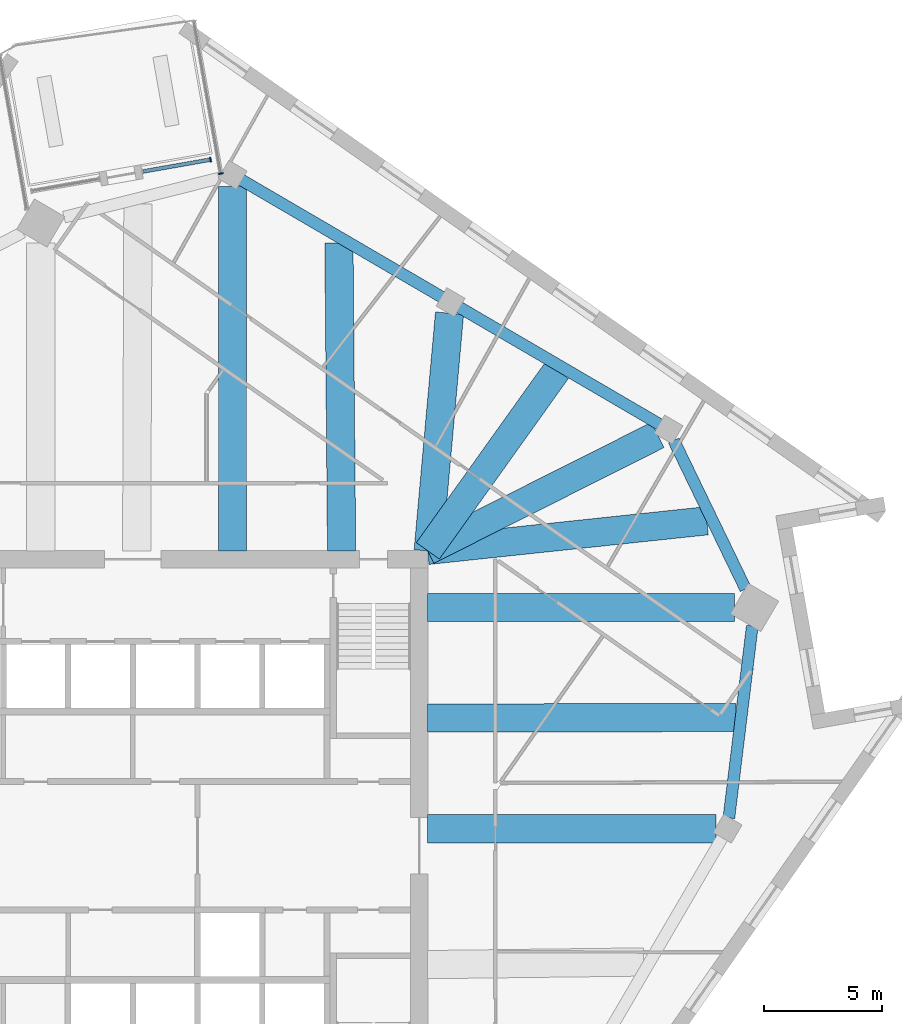
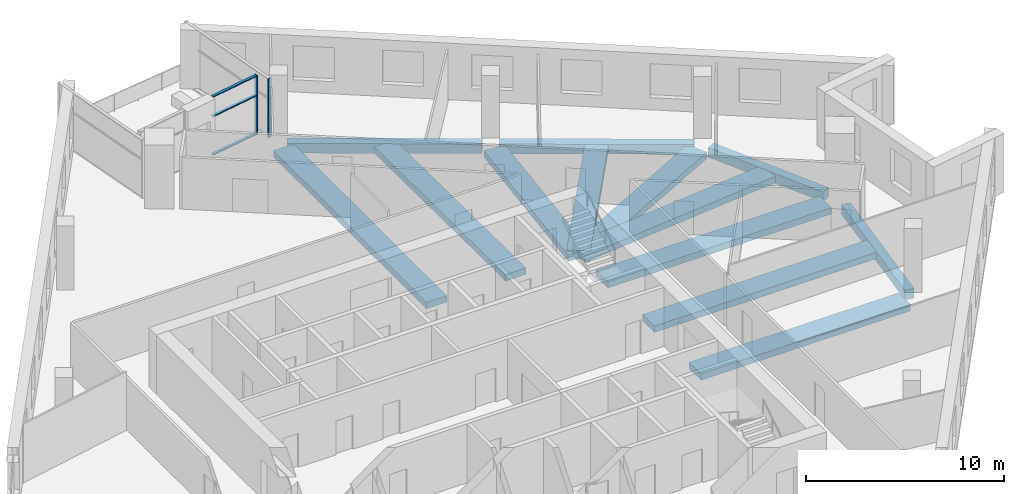
# One storey, part 3 of 13: 13 beams, 5 members, 2 elements without a shape of their own.
"""IFC4 building model written with IfcOpenShell, lengths in metres."""

from ifc_helpers import new_model, si_unit, direction, frame, origin, origin_2d, place, context, subcontext, project, spatial, rectangle, extrude, material, material_profile, profile_set, type_object, element, aggregate, save


model = new_model("IFC4")

# Units and contexts
model_context = context("Model", 3, precision=1e-05, world=origin(), true_north=direction((0.0, 1.0)))
body_context = subcontext(model_context, "Body", "Model", "MODEL_VIEW")
ifc_project = project(units=[si_unit("LENGTHUNIT", "METRE"), si_unit("AREAUNIT", "SQUARE_METRE"), si_unit("VOLUMEUNIT", "CUBIC_METRE"), si_unit("PLANEANGLEUNIT", "RADIAN"), si_unit("MASSUNIT", "GRAM", prefix="KILO")], contexts=[model_context])

# Site, building, storey
site_placement = place(None, origin())
site = spatial("IfcSite", under=ifc_project, at=site_placement, CompositionType="ELEMENT")
building_placement = place(site_placement, origin())
building = spatial("IfcBuilding", under=site, at=building_placement, Name="Dilmun Exchange Tower", CompositionType="ELEMENT")
storey_placement = place(building_placement, frame((0.0, 0.0, 250.89990234375)))
storey = spatial("IfcBuildingStorey", under=building, at=storey_placement, Name="L59", CompositionType="ELEMENT", Elevation=250.89990234375)

# Curtain wall, member
ifc_material_1 = material(Name="Anodised aluminium and clear glass", Category="aluminium")
curtain_wall_type = type_object("IfcCurtainWallType", Name="Garden corner glazing", PredefinedType="NOTDEFINED", material=ifc_material_1)
curtain_wall_1_placement = place(storey_placement, origin())
curtain_wall_1 = element("IfcCurtainWall", 1, at=curtain_wall_1_placement, inside=storey, type_object=curtain_wall_type, Name="Garden corner glazing run GC1.1", PredefinedType="NOTDEFINED")
ifc_material_2 = material(Name="Anodised aluminium", Category="aluminium")
ifc_material_profile_1 = material_profile(ifc_material_2, rectangle(XDim=0.199951171875, YDim=0.06005859375, at=origin_2d()), Name="AL 60x200")
ifc_profile_set_1 = profile_set([ifc_material_profile_1], Name="Anodised aluminium")
member_type_1 = type_object("IfcMemberType", Name="Garden corner glazing mullion 60 x 200", PredefinedType="MULLION", material=ifc_profile_set_1)
member_1_placement = place(storey_placement, frame((3.74169921875, 28.55810546875, 0.0), z_axis=(0.0, 0.0, 1.0), x_axis=(0.984807359836, 0.173650407466, 0.0)))
member_1 = element("IfcMember", 2, at=member_1_placement, type_object=member_type_1, Name="GC1.1 mullion 2", PredefinedType="MULLION", context=body_context, shape_type="SweptSolid", body=[
    extrude(rectangle(XDim=0.199951171875, YDim=0.06005859375, at=origin_2d()), origin(), (0.0, 0.0, 1.0), 3.64013671875),
])
aggregate(curtain_wall_1, [member_1])

# Curtain wall, members
curtain_wall_2_placement = place(storey_placement, origin())
curtain_wall_2 = element("IfcCurtainWall", 3, at=curtain_wall_2_placement, inside=storey, type_object=curtain_wall_type, Name="Garden corner glazing run GC2.1", PredefinedType="NOTDEFINED")
member_2_placement = place(storey_placement, frame((3.3017578125, 29.15234375, 0.0), z_axis=(0.0, 0.0, 1.0), x_axis=(0.173630743351, -0.984810826993, 0.0)))
member_2 = element("IfcMember", 4, at=member_2_placement, type_object=member_type_1, Name="GC2.1 mullion 1", PredefinedType="MULLION", context=body_context, shape_type="SweptSolid", body=[
    extrude(rectangle(XDim=0.199951171875, YDim=0.06005859375, at=origin_2d()), origin(), (0.0, 0.0, 1.0), 3.64013671875),
])
ifc_material_profile_2 = material_profile(ifc_material_2, rectangle(XDim=0.159912109375, YDim=0.06005859375, at=origin_2d()), Name="AL 60x160")
ifc_profile_set_2 = profile_set([ifc_material_profile_2], Name="Anodised aluminium")
member_type_2 = type_object("IfcMemberType", Name="Garden corner glazing transom 60 x 160", PredefinedType="USERDEFINED", material=ifc_profile_set_2)
member_3_placement = place(storey_placement, frame((3.272216796875, 29.14697265625, 0.030029296875), z_axis=(-0.984816950826, -0.173596006194, 0.0), x_axis=(0.173596006194, -0.984816950826, 0.0)))
member_3 = element("IfcMember", 5, at=member_3_placement, type_object=member_type_2, Name="GC2.1 transom 1.1", ObjectType="TRANSOM", PredefinedType="USERDEFINED", context=body_context, shape_type="SweptSolid", body=[
    extrude(rectangle(XDim=0.159912109375, YDim=0.06005859375, at=origin_2d()), origin(), (0.0, 0.0, 1.0), 2.868896484375),
])
member_4_placement = place(storey_placement, frame((3.272216796875, 29.14697265625, 2.400146484375), z_axis=(-0.984816950826, -0.173596006194, 0.0), x_axis=(0.173596006194, -0.984816950826, 0.0)))
member_4 = element("IfcMember", 6, at=member_4_placement, type_object=member_type_2, Name="GC2.1 transom 1.2", ObjectType="TRANSOM", PredefinedType="USERDEFINED", context=body_context, shape_type="SweptSolid", body=[
    extrude(rectangle(XDim=0.159912109375, YDim=0.06005859375, at=origin_2d()), origin(), (0.0, 0.0, 1.0), 2.868896484375),
])
member_5_placement = place(storey_placement, frame((3.272216796875, 29.14697265625, 3.610107421875), z_axis=(-0.984816950826, -0.173596006194, 0.0), x_axis=(0.173596006194, -0.984816950826, 0.0)))
member_5 = element("IfcMember", 7, at=member_5_placement, type_object=member_type_2, Name="GC2.1 transom 1.3", ObjectType="TRANSOM", PredefinedType="USERDEFINED", context=body_context, shape_type="SweptSolid", body=[
    extrude(rectangle(XDim=0.159912109375, YDim=0.06005859375, at=origin_2d()), origin(), (0.0, 0.0, 1.0), 2.868896484375),
])
aggregate(curtain_wall_2, [member_2, member_3, member_4, member_5])

# Beams
ifc_material_3 = material(Name="Concrete C40/50", Category="concrete")
ifc_material_profile_3 = material_profile(ifc_material_3, rectangle(XDim=1.199951171875, YDim=0.39990234375, at=origin_2d()), Name="1200 x 400")
ifc_profile_set_3 = profile_set([ifc_material_profile_3], Name="Concrete C40/50")
beam_type_1 = type_object("IfcBeamType", Name="RC band beam 1200 x 400 C40/50", PredefinedType="BEAM", material=ifc_profile_set_3)
beam_1_placement = place(storey_placement, frame((24.773681640625, 0.721923828125, -0.659912109375), z_axis=(-1.0, 0.0, 0.0), x_axis=(0.0, -1.0, 0.0)))
element("IfcBeam", 8, at=beam_1_placement, inside=storey, type_object=beam_type_1, Name="Band beam 12", PredefinedType="BEAM", context=body_context, shape_type="SweptSolid", body=[
    extrude(rectangle(XDim=1.199951171875, YDim=0.39990234375, at=origin_2d()), origin(), (0.0, 0.0, 1.0), 12.250732421875),
])
beam_2_placement = place(storey_placement, frame((25.5732421875, 10.1220703125, -0.659912109375), z_axis=(-1.0, 0.0, 0.0), x_axis=(0.0, -1.0, 0.0)))
element("IfcBeam", 9, at=beam_2_placement, inside=storey, type_object=beam_type_1, Name="Band beam 13", PredefinedType="BEAM", context=body_context, shape_type="SweptSolid", body=[
    extrude(rectangle(XDim=1.199951171875, YDim=0.39990234375, at=origin_2d()), origin(), (0.0, 0.0, 1.0), 13.05029296875),
])
beam_3_placement = place(storey_placement, frame((22.302734375, 17.453125, -0.659912109375), z_axis=(-0.893443377394, -0.449175835716, 0.0), x_axis=(0.449175835716, -0.893443377394, 0.0)))
element("IfcBeam", 10, at=beam_3_placement, inside=storey, type_object=beam_type_1, Name="Band beam 14", PredefinedType="BEAM", context=body_context, shape_type="SweptSolid", body=[
    extrude(rectangle(XDim=1.199951171875, YDim=0.39990234375, at=origin_2d()), origin(), (0.0, 0.0, 1.0), 10.94287109375),
])
beam_4_placement = place(storey_placement, frame((13.456787109375, 22.625732421875, -0.659912109375), z_axis=(-0.089632924375, -0.995974868593, 0.0), x_axis=(0.995974868593, -0.089632924375, 0.0)))
element("IfcBeam", 11, at=beam_4_placement, inside=storey, type_object=beam_type_1, Name="Band beam 15", PredefinedType="BEAM", context=body_context, shape_type="SweptSolid", body=[
    extrude(rectangle(XDim=1.199951171875, YDim=0.39990234375, at=origin_2d()), origin(), (0.0, 0.0, 1.0), 10.143310546875),
])
beam_5_placement = place(storey_placement, frame((4.239990234375, 28.01171875, -0.659912109375), z_axis=(0.0, -1.0, 0.0), x_axis=(1.0, 0.0, 0.0)))
element("IfcBeam", 12, at=beam_5_placement, inside=storey, type_object=beam_type_1, Name="Band beam 16", PredefinedType="BEAM", context=body_context, shape_type="SweptSolid", body=[
    extrude(rectangle(XDim=1.199951171875, YDim=0.39990234375, at=origin_2d()), origin(), (0.0, 0.0, 1.0), 15.48876953125),
])
beam_6_placement = place(storey_placement, frame((25.6201171875, 5.448974609375, -0.559814453125), z_axis=(-0.999997897774, -0.002050474756, 0.0), x_axis=(0.002050474756, -0.999997897774, 0.0)))
element("IfcBeam", 13, at=beam_6_placement, inside=storey, type_object=beam_type_1, Name="Band beam 28", PredefinedType="BEAM", context=body_context, shape_type="SweptSolid", body=[
    extrude(rectangle(XDim=1.199951171875, YDim=0.39990234375, at=origin_2d()), origin(), (0.0, 0.0, 1.0), 13.09716796875),
])
beam_7_placement = place(storey_placement, frame((24.3857421875, 13.804931640625, -0.559814453125), z_axis=(-0.994425543871, -0.105441157505, 0.0), x_axis=(0.105441157505, -0.994425543871, 0.0)))
element("IfcBeam", 14, at=beam_7_placement, inside=storey, type_object=beam_type_1, Name="Band beam 29", PredefinedType="BEAM", context=body_context, shape_type="SweptSolid", body=[
    extrude(rectangle(XDim=1.199951171875, YDim=0.39990234375, at=origin_2d()), origin(), (0.0, 0.0, 1.0), 11.928955078125),
])
beam_8_placement = place(storey_placement, frame((18.01611328125, 20.195556640625, -0.559814453125), z_axis=(-0.581600762294, -0.81347437163, 0.0), x_axis=(0.81347437163, -0.581600762294, 0.0)))
element("IfcBeam", 15, at=beam_8_placement, inside=storey, type_object=beam_type_1, Name="Band beam 30", PredefinedType="BEAM", context=body_context, shape_type="SweptSolid", body=[
    extrude(rectangle(XDim=1.199951171875, YDim=0.39990234375, at=origin_2d()), origin(), (0.0, 0.0, 1.0), 9.425537109375),
])
beam_9_placement = place(storey_placement, frame((8.757080078125, 25.607421875, -0.559814453125), z_axis=(0.008582734208, -0.999963167658, 0.0), x_axis=(0.999963167658, 0.008582734208, 0.0)))
element("IfcBeam", 16, at=beam_9_placement, inside=storey, type_object=beam_type_1, Name="Band beam 31", PredefinedType="BEAM", context=body_context, shape_type="SweptSolid", body=[
    extrude(rectangle(XDim=1.199951171875, YDim=0.39990234375, at=origin_2d()), origin(), (0.0, 0.0, 1.0), 13.0849609375),
])
ifc_material_profile_4 = material_profile(ifc_material_3, rectangle(XDim=0.5, YDim=0.60009765625, at=origin_2d()), Name="500 x 600")
ifc_profile_set_4 = profile_set([ifc_material_profile_4], Name="Concrete C40/50")
beam_type_2 = type_object("IfcBeamType", Name="RC ring beam 500 x 600 C40/50", PredefinedType="SPANDREL", material=ifc_profile_set_4)
beam_10_placement = place(storey_placement, frame((25.32421875, 1.181640625, -0.659912109375), z_axis=(0.121108645076, 0.992639257781, 0.0), x_axis=(-0.992639257781, 0.121108645076, 0.0)))
element("IfcBeam", 17, at=beam_10_placement, inside=storey, type_object=beam_type_2, Name="Ring beam 12", PredefinedType="SPANDREL", context=body_context, shape_type="SweptSolid", body=[
    extrude(rectangle(XDim=0.5, YDim=0.60009765625, at=origin_2d()), origin(), (0.0, 0.0, 1.0), 8.216796875),
])
beam_11_placement = place(storey_placement, frame((26.033447265625, 10.910888671875, -0.659912109375), z_axis=(-0.435439794363, 0.900217854458, 0.0), x_axis=(-0.900217854458, -0.435439794363, 0.0)))
element("IfcBeam", 18, at=beam_11_placement, inside=storey, type_object=beam_type_2, Name="Ring beam 13", PredefinedType="SPANDREL", context=body_context, shape_type="SweptSolid", body=[
    extrude(rectangle(XDim=0.5, YDim=0.60009765625, at=origin_2d()), origin(), (0.0, 0.0, 1.0), 7.0068359375),
])
beam_12_placement = place(storey_placement, frame((22.392822265625, 17.8955078125, -0.659912109375), z_axis=(-0.863333071594, 0.504634528637, 0.0), x_axis=(-0.504634528637, -0.863333071594, 0.0)))
element("IfcBeam", 19, at=beam_12_placement, inside=storey, type_object=beam_type_2, Name="Ring beam 14", PredefinedType="SPANDREL", context=body_context, shape_type="SweptSolid", body=[
    extrude(rectangle(XDim=0.5, YDim=0.60009765625, at=origin_2d()), origin(), (0.0, 0.0, 1.0), 9.878662109375),
])
beam_13_placement = place(storey_placement, frame((13.1337890625, 23.3076171875, -0.659912109375), z_axis=(-0.863343838609, 0.504616107884, 0.0), x_axis=(-0.504616107884, -0.863343838609, 0.0)))
element("IfcBeam", 20, at=beam_13_placement, inside=storey, type_object=beam_type_2, Name="Ring beam 15", PredefinedType="SPANDREL", context=body_context, shape_type="SweptSolid", body=[
    extrude(rectangle(XDim=0.5, YDim=0.60009765625, at=origin_2d()), origin(), (0.0, 0.0, 1.0), 9.87841796875),
])

save(model, "model.ifc")
